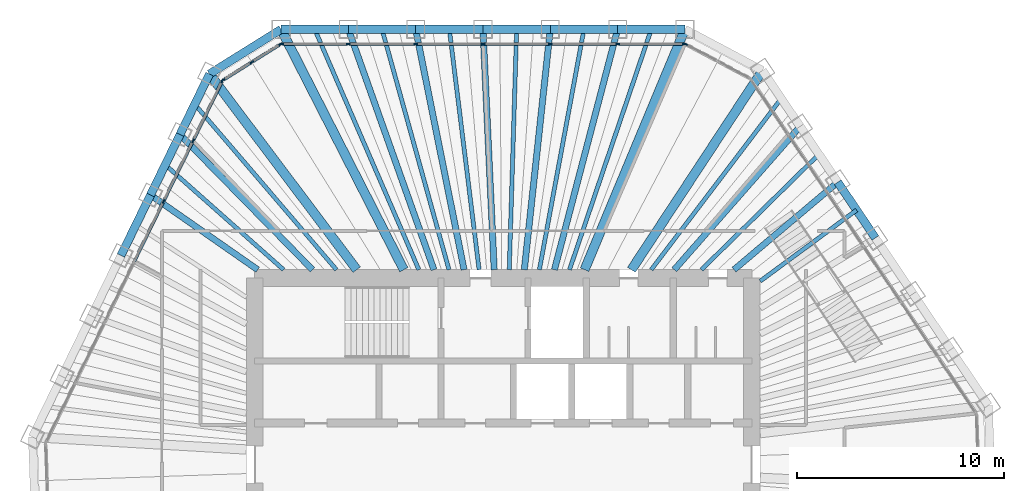
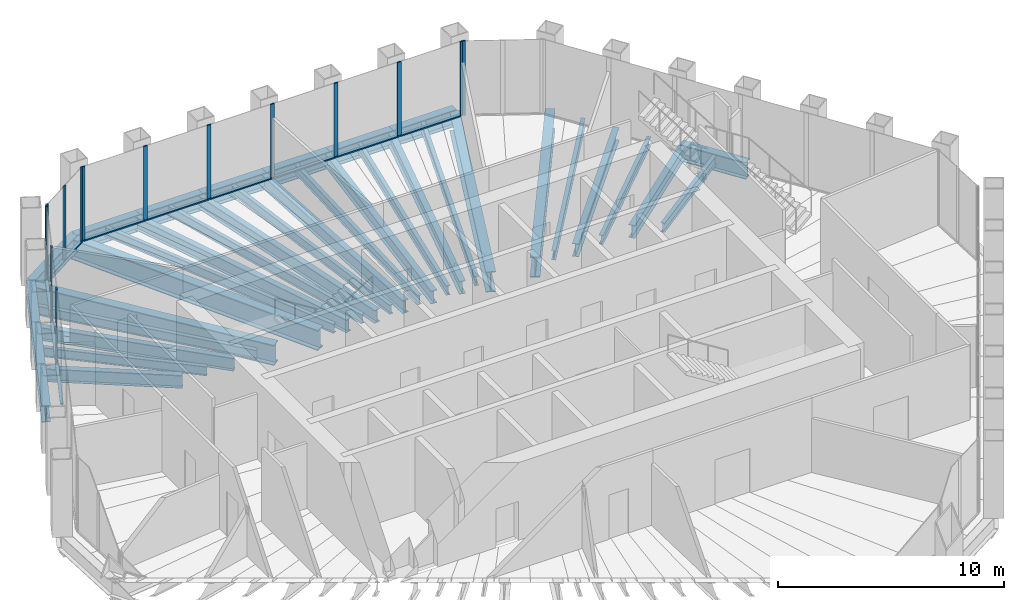
# One storey, part 7 of 14: 35 beams, 25 members, 4 elements without a shape of their own.
"""IFC4 building model written with IfcOpenShell, lengths in metres."""

import ifcopenshell
import ifcopenshell.guid

model = None  # the IFC model being written
_history = None  # IfcOwnerHistory: only IFC2X3 demands one
_inside = {}  # id of a spatial element -> (the spatial element, [elements in it])
_under = {}  # id of a project, library or spatial element -> (it, [spatial elements below it])
_declared = {}  # id of a project -> (the project, [libraries it declares])
_typed = {}  # id of a type object -> (the type object, [elements of that type])
_made_of = {}  # id of a material, layer set ... -> (it, [elements and type objects made of it])


def new_model(schema):
    """Start an empty IFC model of exactly this schema.

    Asked for "IFC4X3", IfcOpenShell would pick the latest addendum, in which some entities
    have other attributes; the version numbers below select the first issue.
    IFC2X3 requires an IfcOwnerHistory on every rooted entity: one is made here for all.
    """
    global model, _history
    if schema == "IFC4X3":
        model = ifcopenshell.file(schema_version=(4, 3, 0, 0))
    else:
        model = ifcopenshell.file(schema=schema)
    _inside.clear()
    _under.clear()
    _declared.clear()
    _typed.clear()
    _made_of.clear()
    _history = None
    if model.schema == "IFC2X3":
        org = make("IfcOrganization", Name="unknown")
        user = make(
            "IfcPersonAndOrganization",
            ThePerson=make("IfcPerson", FamilyName="unknown"),
            TheOrganization=org,
        )
        app = make(
            "IfcApplication",
            ApplicationDeveloper=org,
            Version="unknown",
            ApplicationFullName="unknown",
            ApplicationIdentifier="unknown",
        )
        _history = make(
            "IfcOwnerHistory",
            OwningUser=user,
            OwningApplication=app,
            ChangeAction="ADDED",
            CreationDate=0,
        )
    return model


def make(cls, **values):
    """One entity of the class cls with the attributes given. An attribute that is None is left unset."""
    return model.create_entity(
        cls, **{name: value for name, value in values.items() if value is not None}
    )


def rooted(cls, **values):
    """An entity with a GlobalId (a new one), such as an element, a storey or a relation."""
    return make(cls, GlobalId=ifcopenshell.guid.new(), OwnerHistory=_history, **values)


def si_unit(unit_type, name, prefix=None):
    """IfcSIUnit, for example si_unit("LENGTHUNIT", "METRE", prefix="MILLI")."""
    return make("IfcSIUnit", UnitType=unit_type, Prefix=prefix, Name=name)


def assignment(units):
    """IfcUnitAssignment: the units of a project."""
    return None if units is None else make("IfcUnitAssignment", Units=units)


def point(xyz):
    """IfcCartesianPoint."""
    return None if xyz is None else make("IfcCartesianPoint", Coordinates=xyz)


def direction(xyz):
    """IfcDirection."""
    return None if xyz is None else make("IfcDirection", DirectionRatios=xyz)


def frame(location, z_axis=None, x_axis=None):
    """IfcAxis2Placement3D, a coordinate frame: its origin and axes. An axis left out is left unset."""
    return make(
        "IfcAxis2Placement3D",
        Location=point(location),
        Axis=direction(z_axis),
        RefDirection=direction(x_axis),
    )


def frame_2d(location, x_axis=None):
    """IfcAxis2Placement2D, a coordinate frame in the plane: its origin and x axis."""
    return make(
        "IfcAxis2Placement2D", Location=point(location), RefDirection=direction(x_axis)
    )


def origin():
    """The frame at (0, 0, 0) with its axes left unset."""
    return frame((0.0, 0.0, 0.0))


def origin_2d():
    """The frame at (0, 0) in the plane with its x axis left unset."""
    return frame_2d((0.0, 0.0))


def place(relative_to, where):
    """IfcLocalPlacement: puts the frame where relative to a parent placement (None: the world)."""
    return make(
        "IfcLocalPlacement", PlacementRelTo=relative_to, RelativePlacement=where
    )


def context(
    kind, dimensions, precision=None, world=None, true_north=None, identifier=None
):
    """IfcGeometricRepresentationContext, for example the 3D "Model" context."""
    return make(
        "IfcGeometricRepresentationContext",
        ContextIdentifier=identifier,
        ContextType=kind,
        CoordinateSpaceDimension=dimensions,
        Precision=precision,
        WorldCoordinateSystem=world,
        TrueNorth=true_north,
    )


def subcontext(parent, identifier, kind, view, scale=None):
    """IfcGeometricRepresentationSubContext, for example "Body" below "Model"."""
    return make(
        "IfcGeometricRepresentationSubContext",
        ContextIdentifier=identifier,
        ContextType=kind,
        ParentContext=parent,
        TargetScale=scale,
        TargetView=view,
    )


def project(units=None, contexts=None):
    """IfcProject with its units and contexts."""
    return rooted(
        "IfcProject",
        Name="project",
        RepresentationContexts=contexts,
        UnitsInContext=assignment(units),
    )


def spatial(cls, under=None, at=None, **own):
    """A site, building, storey or space (cls), placed at a placement, below another one or the project."""
    s = rooted(cls, ObjectPlacement=at, **own)
    if under is not None:
        _under.setdefault(under.id(), (under, []))[1].append(s)
    return s


def profile(cls, at=None, kind="AREA", **sizes):
    """A parametric profile (cls). Its sizes go by their IFC names, for example OverallWidth=200.0."""
    return make(cls, ProfileType=kind, Position=at, **sizes)


def rectangle(**sizes):
    """IfcRectangleProfileDef."""
    return profile("IfcRectangleProfileDef", **sizes)


def i_section(**sizes):
    """IfcIShapeProfileDef."""
    return profile("IfcIShapeProfileDef", **sizes)


def extrude(swept, where, along, depth):
    """IfcExtrudedAreaSolid: the profile swept, set in the frame where, extruded along a direction by depth."""
    return make(
        "IfcExtrudedAreaSolid",
        SweptArea=swept,
        Position=where,
        ExtrudedDirection=direction(along),
        Depth=depth,
    )


def shape(context_of_items, identifier, shape_type, items):
    """IfcShapeRepresentation: the items that make up one representation, for example the "Body"."""
    return make(
        "IfcShapeRepresentation",
        ContextOfItems=context_of_items,
        RepresentationIdentifier=identifier,
        RepresentationType=shape_type,
        Items=items,
    )


def material(Name=None, Category=None):
    """IfcMaterial."""
    return make("IfcMaterial", Name=Name, Category=Category)


def material_profile(
    of_material, cross_section, Name=None, Category=None, Priority=None
):
    """IfcMaterialProfile: a cross section and its material."""
    return make(
        "IfcMaterialProfile",
        Name=Name,
        Material=of_material,
        Profile=cross_section,
        Priority=Priority,
        Category=Category,
    )


def profile_set(profiles, Name=None, composite=None):
    """IfcMaterialProfileSet."""
    return make(
        "IfcMaterialProfileSet",
        Name=Name,
        MaterialProfiles=profiles,
        CompositeProfile=composite,
    )


def made_of(thing, what):
    """Note that an element or type object is made of a material, layer set ...; save() writes the relation."""
    if what is not None:
        _made_of.setdefault(what.id(), (what, []))[1].append(thing)
    return thing


def type_object(cls, material=None, **own):
    """A type object (cls), such as IfcWallType, which elements share."""
    return made_of(rooted(cls, **own), material)


def element(
    cls,
    number,
    at=None,
    inside=None,
    cuts=None,
    type_object=None,
    material=None,
    context=None,
    identifier="Body",
    shape_type=None,
    held_by="IfcProductDefinitionShape",
    body=None,
    shapes=None,
    **own,
):
    """One element of the class cls, such as IfcWall. Its Tag is "e" and its number.

    at: its placement. inside: the storey or other place that contains it. cuts: it is an
    opening in that element (IfcRelVoidsElement). A single representation is given by context,
    identifier, shape_type and body (its items); several are given by shapes. held_by: the class
    of the entity that holds the representations. save() writes the other relations.
    """
    e = rooted(cls, Tag="e%d" % number, ObjectPlacement=at, **own)
    if body is not None:
        shapes = [shape(context, identifier, shape_type, body)]
    if shapes is not None:
        e.Representation = make(held_by, Representations=shapes)
    if inside is not None:
        _inside.setdefault(inside.id(), (inside, []))[1].append(e)
    if cuts is not None:
        rooted(
            "IfcRelVoidsElement", RelatingBuildingElement=cuts, RelatedOpeningElement=e
        )
    if type_object is not None:
        _typed.setdefault(type_object.id(), (type_object, []))[1].append(e)
    return made_of(e, material)


def aggregate(whole, parts):
    """IfcRelAggregates: a whole, such as a stair, and the parts it consists of."""
    return rooted("IfcRelAggregates", RelatingObject=whole, RelatedObjects=parts)


def save(model, path):
    """Write the relations noted so far, then the file.

    IfcRelAggregates (storeys below a building ...), IfcRelContainedInSpatialStructure (elements
    in a storey), IfcRelDefinesByType, IfcRelAssociatesMaterial and IfcRelDeclares: one each for
    every whole, place, type object, material and project.
    """
    for whole, parts in _under.values():
        aggregate(whole, parts)
    for where, things in _inside.values():
        rooted(
            "IfcRelContainedInSpatialStructure",
            RelatedElements=things,
            RelatingStructure=where,
        )
    for kind, things in _typed.values():
        rooted("IfcRelDefinesByType", RelatedObjects=things, RelatingType=kind)
    for what, things in _made_of.values():
        rooted("IfcRelAssociatesMaterial", RelatedObjects=things, RelatingMaterial=what)
    for by, libraries in _declared.values():
        rooted("IfcRelDeclares", RelatingContext=by, RelatedDefinitions=libraries)
    model.write(path)


model = new_model("IFC4")

# Units and contexts
model_context = context("Model", 3, precision=1e-05, world=origin(), true_north=direction((0.0, 1.0)))
body_context = subcontext(model_context, "Body", "Model", "MODEL_VIEW")
ifc_project = project(units=[si_unit("LENGTHUNIT", "METRE"), si_unit("AREAUNIT", "SQUARE_METRE"), si_unit("VOLUMEUNIT", "CUBIC_METRE"), si_unit("PLANEANGLEUNIT", "RADIAN"), si_unit("MASSUNIT", "GRAM", prefix="KILO")], contexts=[model_context])

# Site, building, storey
site_placement = place(None, origin())
site = spatial("IfcSite", under=ifc_project, at=site_placement, CompositionType="ELEMENT")
building_placement = place(site_placement, origin())
building = spatial("IfcBuilding", under=site, at=building_placement, Name="Qingtian Harvest Tower", CompositionType="ELEMENT")
storey_placement = place(building_placement, frame((0.0, 0.0, 325.0)))
storey = spatial("IfcBuildingStorey", under=building, at=storey_placement, Name="L72", CompositionType="ELEMENT", Elevation=325.0)

# Beams
ifc_material_1 = material(Name="Steel SM570MC", Category="steel")
ifc_material_profile_1 = material_profile(ifc_material_1, i_section(OverallWidth=0.449951171875, OverallDepth=1.10009765625, WebThickness=0.02197265625, FlangeThickness=0.044921875, at=origin_2d()), Name="H1100x450x22x45")
ifc_profile_set_1 = profile_set([ifc_material_profile_1], Name="Steel SM570MC")
beam_type_1 = type_object("IfcBeamType", Name="Corner floor beam FB8 H1100x450x22x45", PredefinedType="BEAM", material=ifc_profile_set_1)
beam_1_placement = place(storey_placement, frame((-10.72216796875, 21.0, -0.719970703125), z_axis=(0.454725592954, -0.890631593372, 0.0), x_axis=(0.890631593372, 0.454725592954, 0.0)))
element("IfcBeam", 1, at=beam_1_placement, inside=storey, type_object=beam_type_1, Name="Floor beam FB8 N0", PredefinedType="BEAM", context=body_context, shape_type="SweptSolid", body=[
    extrude(i_section(OverallWidth=0.449951171875, OverallDepth=1.10009765625, WebThickness=0.02197265625, FlangeThickness=0.044921875, at=origin_2d()), origin(), (0.0, 0.0, 1.0), 13.024658203125),
])
beam_2_placement = place(storey_placement, frame((8.765869140625, 21.0, -0.719970703125), z_axis=(-0.385202803059, -0.922831945977, 0.0), x_axis=(0.922831945977, -0.385202803059, 0.0)))
element("IfcBeam", 2, at=beam_2_placement, inside=storey, type_object=beam_type_1, Name="Floor beam FB8 N6", PredefinedType="BEAM", context=body_context, shape_type="SweptSolid", body=[
    extrude(i_section(OverallWidth=0.449951171875, OverallDepth=1.10009765625, WebThickness=0.02197265625, FlangeThickness=0.044921875, at=origin_2d()), origin(), (0.0, 0.0, 1.0), 12.570068359375),
])
beam_3_placement = place(storey_placement, frame((12.508056640625, 19.01025390625, -0.719970703125), z_axis=(-0.549655478371, -0.835391438247, 0.0), x_axis=(0.835391438247, -0.549655478371, 0.0)))
element("IfcBeam", 3, at=beam_3_placement, inside=storey, type_object=beam_type_1, Name="Floor beam FB8 NE0", PredefinedType="BEAM", context=body_context, shape_type="SweptSolid", body=[
    extrude(i_section(OverallWidth=0.449951171875, OverallDepth=1.10009765625, WebThickness=0.02197265625, FlangeThickness=0.044921875, at=origin_2d()), origin(), (0.0, 0.0, 1.0), 11.50390625),
])
beam_4_placement = place(storey_placement, frame((-14.17431640625, 18.8427734375, -0.719970703125), z_axis=(0.601143201392, -0.799141321307, 0.0), x_axis=(0.799141321307, 0.601143201392, 0.0)))
element("IfcBeam", 4, at=beam_4_placement, inside=storey, type_object=beam_type_1, Name="Floor beam FB8 NW6", PredefinedType="BEAM", context=body_context, shape_type="SweptSolid", body=[
    extrude(i_section(OverallWidth=0.449951171875, OverallDepth=1.10009765625, WebThickness=0.02197265625, FlangeThickness=0.044921875, at=origin_2d()), origin(), (0.0, 0.0, 1.0), 11.816162109375),
])
ifc_material_2 = material(Name="Steel SN490B", Category="steel")
ifc_material_profile_2 = material_profile(ifc_material_2, i_section(OverallWidth=0.300048828125, OverallDepth=0.699951171875, WebThickness=0.012939453125, FlangeThickness=0.02392578125, at=origin_2d()), Name="H700x300x13x24")
ifc_profile_set_2 = profile_set([ifc_material_profile_2], Name="Steel SN490B")
beam_type_2 = type_object("IfcBeamType", Name="Floor beam FB4 H700x300x13x24", PredefinedType="BEAM", material=ifc_profile_set_2)
beam_5_placement = place(storey_placement, frame((-7.47412109375, 21.0, -0.52001953125), z_axis=(0.335293644082, -0.942113672673, 0.0), x_axis=(0.942113672673, 0.335293644082, 0.0)))
element("IfcBeam", 5, at=beam_5_placement, inside=storey, type_object=beam_type_2, Name="Floor beam FB4 N1", PredefinedType="BEAM", context=body_context, shape_type="SweptSolid", body=[
    extrude(i_section(OverallWidth=0.300048828125, OverallDepth=0.699951171875, WebThickness=0.012939453125, FlangeThickness=0.02392578125, at=origin_2d()), origin(), (0.0, 0.0, 1.0), 12.312744140625),
])
beam_6_placement = place(storey_placement, frame((-4.226318359375, 21.0, -0.52001953125), z_axis=(0.197290474792, -0.980345076265, 0.0), x_axis=(0.980345076265, 0.197290474792, 0.0)))
element("IfcBeam", 6, at=beam_6_placement, inside=storey, type_object=beam_type_2, Name="Floor beam FB4 N2", PredefinedType="BEAM", context=body_context, shape_type="SweptSolid", body=[
    extrude(i_section(OverallWidth=0.300048828125, OverallDepth=0.699951171875, WebThickness=0.012939453125, FlangeThickness=0.02392578125, at=origin_2d()), origin(), (0.0, 0.0, 1.0), 11.832763671875),
])
beam_7_placement = place(storey_placement, frame((-0.978271484375, 21.0, -0.52001953125), z_axis=(0.046546287853, -0.998916134161, 0.0), x_axis=(0.998916134161, 0.046546287853, 0.0)))
element("IfcBeam", 7, at=beam_7_placement, inside=storey, type_object=beam_type_2, Name="Floor beam FB4 N3", PredefinedType="BEAM", context=body_context, shape_type="SweptSolid", body=[
    extrude(i_section(OverallWidth=0.300048828125, OverallDepth=0.699951171875, WebThickness=0.012939453125, FlangeThickness=0.02392578125, at=origin_2d()), origin(), (0.0, 0.0, 1.0), 11.61279296875),
])
beam_8_placement = place(storey_placement, frame((2.269775390625, 21.0, -0.52001953125), z_axis=(-0.107447744153, -0.994210733334, 0.0), x_axis=(0.994210733334, -0.107447744153, 0.0)))
element("IfcBeam", 8, at=beam_8_placement, inside=storey, type_object=beam_type_2, Name="Floor beam FB4 N4", PredefinedType="BEAM", context=body_context, shape_type="SweptSolid", body=[
    extrude(i_section(OverallWidth=0.300048828125, OverallDepth=0.699951171875, WebThickness=0.012939453125, FlangeThickness=0.02392578125, at=origin_2d()), origin(), (0.0, 0.0, 1.0), 11.667724609375),
])
beam_9_placement = place(storey_placement, frame((5.517822265625, 21.0, -0.52001953125), z_axis=(-0.254118548412, -0.967173078282, 0.0), x_axis=(0.967173078282, -0.254118548412, 0.0)))
element("IfcBeam", 9, at=beam_9_placement, inside=storey, type_object=beam_type_2, Name="Floor beam FB4 N5", PredefinedType="BEAM", context=body_context, shape_type="SweptSolid", body=[
    extrude(i_section(OverallWidth=0.300048828125, OverallDepth=0.699951171875, WebThickness=0.012939453125, FlangeThickness=0.02392578125, at=origin_2d()), origin(), (0.0, 0.0, 1.0), 11.993896484375),
])
beam_10_placement = place(storey_placement, frame((14.32421875, 16.317626953125, -0.52001953125), z_axis=(-0.659703637934, -0.751525854576, 0.0), x_axis=(0.751525854576, -0.659703637934, 0.0)))
element("IfcBeam", 10, at=beam_10_placement, inside=storey, type_object=beam_type_2, Name="Floor beam FB4 NE1", PredefinedType="BEAM", context=body_context, shape_type="SweptSolid", body=[
    extrude(i_section(OverallWidth=0.300048828125, OverallDepth=0.699951171875, WebThickness=0.012939453125, FlangeThickness=0.02392578125, at=origin_2d()), origin(), (0.0, 0.0, 1.0), 9.204833984375),
])
beam_11_placement = place(storey_placement, frame((16.140625, 13.624755859375, -0.52001953125), z_axis=(-0.764157701072, -0.645029462809, 0.0), x_axis=(0.645029462809, -0.764157701072, 0.0)))
element("IfcBeam", 11, at=beam_11_placement, inside=storey, type_object=beam_type_2, Name="Floor beam FB4 NE2", PredefinedType="BEAM", context=body_context, shape_type="SweptSolid", body=[
    extrude(i_section(OverallWidth=0.300048828125, OverallDepth=0.699951171875, WebThickness=0.012939453125, FlangeThickness=0.02392578125, at=origin_2d()), origin(), (0.0, 0.0, 1.0), 6.5498046875),
])
beam_12_placement = place(storey_placement, frame((-17.02197265625, 13.00439453125, -0.52001953125), z_axis=(0.820409176986, -0.571776864097, 0.0), x_axis=(0.571776864097, 0.820409176986, 0.0)))
element("IfcBeam", 12, at=beam_12_placement, inside=storey, type_object=beam_type_2, Name="Floor beam FB4 NW4", PredefinedType="BEAM", context=body_context, shape_type="SweptSolid", body=[
    extrude(i_section(OverallWidth=0.300048828125, OverallDepth=0.699951171875, WebThickness=0.012939453125, FlangeThickness=0.02392578125, at=origin_2d()), origin(), (0.0, 0.0, 1.0), 6.303955078125),
])
beam_13_placement = place(storey_placement, frame((-15.59814453125, 15.923583984375, -0.52001953125), z_axis=(0.699757003326, -0.714380946202, 0.0), x_axis=(0.714380946202, 0.699757003326, 0.0)))
element("IfcBeam", 13, at=beam_13_placement, inside=storey, type_object=beam_type_2, Name="Floor beam FB4 NW5", PredefinedType="BEAM", context=body_context, shape_type="SweptSolid", body=[
    extrude(i_section(OverallWidth=0.300048828125, OverallDepth=0.699951171875, WebThickness=0.012939453125, FlangeThickness=0.02392578125, at=origin_2d()), origin(), (0.0, 0.0, 1.0), 9.1318359375),
])
ifc_material_3 = material(Name="Steel SN490B", Category="steel")
ifc_material_profile_3 = material_profile(ifc_material_3, i_section(OverallWidth=0.199951171875, OverallDepth=0.5, WebThickness=0.010009765625, FlangeThickness=0.01611328125, at=origin_2d()), Name="H500x200x10x16")
ifc_profile_set_3 = profile_set([ifc_material_profile_3], Name="Steel SN490B")
beam_type_3 = type_object("IfcBeamType", Name="Floor joist J3 H500x200x10x16", PredefinedType="JOIST", material=ifc_profile_set_3)
beam_14_placement = place(storey_placement, frame((-9.09814453125, 21.0, -0.419921875), z_axis=(0.39753589741, -0.917586622761, 0.0), x_axis=(0.917586622761, 0.39753589741, 0.0)))
element("IfcBeam", 14, at=beam_14_placement, inside=storey, type_object=beam_type_3, Name="Floor joist J3 N0", PredefinedType="JOIST", context=body_context, shape_type="SweptSolid", body=[
    extrude(i_section(OverallWidth=0.199951171875, OverallDepth=0.5, WebThickness=0.010009765625, FlangeThickness=0.01611328125, at=origin_2d()), origin(), (0.0, 0.0, 1.0), 12.641845703125),
])
beam_15_placement = place(storey_placement, frame((-5.85009765625, 21.0, -0.419921875), z_axis=(0.268352758425, -0.963320713494, 0.0), x_axis=(0.963320713494, 0.268352758425, 0.0)))
element("IfcBeam", 15, at=beam_15_placement, inside=storey, type_object=beam_type_3, Name="Floor joist J3 N1", PredefinedType="JOIST", context=body_context, shape_type="SweptSolid", body=[
    extrude(i_section(OverallWidth=0.199951171875, OverallDepth=0.5, WebThickness=0.010009765625, FlangeThickness=0.01611328125, at=origin_2d()), origin(), (0.0, 0.0, 1.0), 12.041748046875),
])
beam_16_placement = place(storey_placement, frame((-2.602294921875, 21.0, -0.419921875), z_axis=(0.122980691304, -0.992409063626, 0.0), x_axis=(0.992409063626, 0.122980691304, 0.0)))
element("IfcBeam", 16, at=beam_16_placement, inside=storey, type_object=beam_type_3, Name="Floor joist J3 N2", PredefinedType="JOIST", context=body_context, shape_type="SweptSolid", body=[
    extrude(i_section(OverallWidth=0.199951171875, OverallDepth=0.5, WebThickness=0.010009765625, FlangeThickness=0.01611328125, at=origin_2d()), origin(), (0.0, 0.0, 1.0), 11.688720703125),
])
beam_17_placement = place(storey_placement, frame((0.645751953125, 21.0, -0.419921875), z_axis=(-0.030734305856, -0.999527589636, 0.0), x_axis=(0.999527589636, -0.030734305856, 0.0)))
element("IfcBeam", 17, at=beam_17_placement, inside=storey, type_object=beam_type_3, Name="Floor joist J3 N3", PredefinedType="JOIST", context=body_context, shape_type="SweptSolid", body=[
    extrude(i_section(OverallWidth=0.199951171875, OverallDepth=0.5, WebThickness=0.010009765625, FlangeThickness=0.01611328125, at=origin_2d()), origin(), (0.0, 0.0, 1.0), 11.60546875),
])
beam_18_placement = place(storey_placement, frame((3.893798828125, 21.0, -0.419921875), z_axis=(-0.182311561934, -0.983240812001, 0.0), x_axis=(0.983240812001, -0.182311561934, 0.0)))
element("IfcBeam", 18, at=beam_18_placement, inside=storey, type_object=beam_type_3, Name="Floor joist J3 N4", PredefinedType="JOIST", context=body_context, shape_type="SweptSolid", body=[
    extrude(i_section(OverallWidth=0.199951171875, OverallDepth=0.5, WebThickness=0.010009765625, FlangeThickness=0.01611328125, at=origin_2d()), origin(), (0.0, 0.0, 1.0), 11.7978515625),
])
beam_19_placement = place(storey_placement, frame((7.141845703125, 21.0, -0.419921875), z_axis=(-0.321978462512, -0.946746993488, 0.0), x_axis=(0.946746993488, -0.321978462512, 0.0)))
element("IfcBeam", 19, at=beam_19_placement, inside=storey, type_object=beam_type_3, Name="Floor joist J3 N5", PredefinedType="JOIST", context=body_context, shape_type="SweptSolid", body=[
    extrude(i_section(OverallWidth=0.199951171875, OverallDepth=0.5, WebThickness=0.010009765625, FlangeThickness=0.01611328125, at=origin_2d()), origin(), (0.0, 0.0, 1.0), 12.252685546875),
])
beam_20_placement = place(storey_placement, frame((13.416015625, 17.6640625, -0.419921875), z_axis=(-0.604829724016, -0.796354823522, 0.0), x_axis=(0.796354823522, -0.604829724016, 0.0)))
element("IfcBeam", 20, at=beam_20_placement, inside=storey, type_object=beam_type_3, Name="Floor joist J3 NE0", PredefinedType="JOIST", context=body_context, shape_type="SweptSolid", body=[
    extrude(i_section(OverallWidth=0.199951171875, OverallDepth=0.5, WebThickness=0.010009765625, FlangeThickness=0.01611328125, at=origin_2d()), origin(), (0.0, 0.0, 1.0), 10.37744140625),
])
beam_21_placement = place(storey_placement, frame((15.232421875, 14.97119140625, -0.419921875), z_axis=(-0.713193091885, -0.700967626704, 0.0), x_axis=(0.700967626704, -0.713193091885, 0.0)))
element("IfcBeam", 21, at=beam_21_placement, inside=storey, type_object=beam_type_3, Name="Floor joist J3 NE1", PredefinedType="JOIST", context=body_context, shape_type="SweptSolid", body=[
    extrude(i_section(OverallWidth=0.199951171875, OverallDepth=0.5, WebThickness=0.010009765625, FlangeThickness=0.01611328125, at=origin_2d()), origin(), (0.0, 0.0, 1.0), 7.947998046875),
])
beam_22_placement = place(storey_placement, frame((17.048583984375, 12.278564453125, -0.419921875), z_axis=(-0.804797608796, -0.59354933146, 0.0), x_axis=(0.59354933146, -0.804797608796, 0.0)))
element("IfcBeam", 22, at=beam_22_placement, inside=storey, type_object=beam_type_3, Name="Floor joist J3 NE2", PredefinedType="JOIST", context=body_context, shape_type="SweptSolid", body=[
    extrude(i_section(OverallWidth=0.199951171875, OverallDepth=0.5, WebThickness=0.010009765625, FlangeThickness=0.01611328125, at=origin_2d()), origin(), (0.0, 0.0, 1.0), 5.776123046875),
])
beam_23_placement = place(storey_placement, frame((-16.31005859375, 14.4638671875, -0.419921875), z_axis=(0.748174776717, -0.663501698177, 0.0), x_axis=(0.663501698177, 0.748174776717, 0.0)))
element("IfcBeam", 23, at=beam_23_placement, inside=storey, type_object=beam_type_3, Name="Floor joist J3 NW4", PredefinedType="JOIST", context=body_context, shape_type="SweptSolid", body=[
    extrude(i_section(OverallWidth=0.199951171875, OverallDepth=0.5, WebThickness=0.010009765625, FlangeThickness=0.01611328125, at=origin_2d()), origin(), (0.0, 0.0, 1.0), 7.632080078125),
])
beam_24_placement = place(storey_placement, frame((-14.88623046875, 17.38330078125, -0.419921875), z_axis=(0.650435500933, -0.75956149134, 0.0), x_axis=(0.75956149134, 0.650435500933, 0.0)))
element("IfcBeam", 24, at=beam_24_placement, inside=storey, type_object=beam_type_3, Name="Floor joist J3 NW5", PredefinedType="JOIST", context=body_context, shape_type="SweptSolid", body=[
    extrude(i_section(OverallWidth=0.199951171875, OverallDepth=0.5, WebThickness=0.010009765625, FlangeThickness=0.01611328125, at=origin_2d()), origin(), (0.0, 0.0, 1.0), 10.510498046875),
])

# Curtain wall, members
ifc_material_4 = material(Name="Bronze-anodised aluminium curtain wall", Category="aluminium")
curtain_wall_type = type_object("IfcCurtainWallType", Name="Curtain wall CW6 executive floors", PredefinedType="USERDEFINED", material=ifc_material_4)
curtain_wall_1_placement = place(storey_placement, origin())
curtain_wall_1 = element("IfcCurtainWall", 25, at=curtain_wall_1_placement, inside=storey, type_object=curtain_wall_type, Name="Curtain wall CW6 L72 N0-5", ObjectType="RECESSED CURTAIN WALL", PredefinedType="USERDEFINED")
ifc_material_5 = material(Name="Bronze-anodised aluminium mullion", Category="aluminium")
ifc_material_profile_4 = material_profile(ifc_material_5, rectangle(XDim=0.06494140625, YDim=0.199951171875, at=origin_2d()), Name="AL 65x200")
ifc_profile_set_4 = profile_set([ifc_material_profile_4], Name="Bronze-anodised aluminium mullion")
member_type_1 = type_object("IfcMemberType", Name="Mullion CWM 65x200", PredefinedType="MULLION", material=ifc_profile_set_4)
member_1_placement = place(storey_placement, frame((-10.689697265625, 20.300048828125, 0.0), z_axis=(0.0, 0.0, 1.0), x_axis=(0.0, 1.0, 0.0)))
member_1 = element("IfcMember", 26, at=member_1_placement, type_object=member_type_1, Name="CW6 mullion 1", PredefinedType="MULLION", context=body_context, shape_type="SweptSolid", body=[
    extrude(rectangle(XDim=0.06494140625, YDim=0.199951171875, at=origin_2d()), origin(), (0.0, 0.0, 1.0), 4.030029296875),
])
member_2_placement = place(storey_placement, frame((-7.47412109375, 20.300048828125, 0.0), z_axis=(0.0, 0.0, 1.0), x_axis=(0.0, 1.0, 0.0)))
member_2 = element("IfcMember", 27, at=member_2_placement, type_object=member_type_1, Name="CW6 mullion 2", PredefinedType="MULLION", context=body_context, shape_type="SweptSolid", body=[
    extrude(rectangle(XDim=0.06494140625, YDim=0.199951171875, at=origin_2d()), origin(), (0.0, 0.0, 1.0), 4.030029296875),
])
member_3_placement = place(storey_placement, frame((-4.226318359375, 20.300048828125, 0.0), z_axis=(0.0, 0.0, 1.0), x_axis=(0.0, 1.0, 0.0)))
member_3 = element("IfcMember", 28, at=member_3_placement, type_object=member_type_1, Name="CW6 mullion 3", PredefinedType="MULLION", context=body_context, shape_type="SweptSolid", body=[
    extrude(rectangle(XDim=0.06494140625, YDim=0.199951171875, at=origin_2d()), origin(), (0.0, 0.0, 1.0), 4.030029296875),
])
member_4_placement = place(storey_placement, frame((-0.978271484375, 20.300048828125, 0.0), z_axis=(0.0, 0.0, 1.0), x_axis=(0.0, 1.0, 0.0)))
member_4 = element("IfcMember", 29, at=member_4_placement, type_object=member_type_1, Name="CW6 mullion 4", PredefinedType="MULLION", context=body_context, shape_type="SweptSolid", body=[
    extrude(rectangle(XDim=0.06494140625, YDim=0.199951171875, at=origin_2d()), origin(), (0.0, 0.0, 1.0), 4.030029296875),
])
member_5_placement = place(storey_placement, frame((2.269775390625, 20.300048828125, 0.0), z_axis=(0.0, 0.0, 1.0), x_axis=(0.0, 1.0, 0.0)))
member_5 = element("IfcMember", 30, at=member_5_placement, type_object=member_type_1, Name="CW6 mullion 5", PredefinedType="MULLION", context=body_context, shape_type="SweptSolid", body=[
    extrude(rectangle(XDim=0.06494140625, YDim=0.199951171875, at=origin_2d()), origin(), (0.0, 0.0, 1.0), 4.030029296875),
])
member_6_placement = place(storey_placement, frame((5.517822265625, 20.300048828125, 0.0), z_axis=(0.0, 0.0, 1.0), x_axis=(0.0, 1.0, 0.0)))
member_6 = element("IfcMember", 31, at=member_6_placement, type_object=member_type_1, Name="CW6 mullion 6", PredefinedType="MULLION", context=body_context, shape_type="SweptSolid", body=[
    extrude(rectangle(XDim=0.06494140625, YDim=0.199951171875, at=origin_2d()), origin(), (0.0, 0.0, 1.0), 4.030029296875),
])
member_7_placement = place(storey_placement, frame((8.7333984375, 20.300048828125, 0.0), z_axis=(0.0, 0.0, 1.0), x_axis=(0.0, 1.0, 0.0)))
member_7 = element("IfcMember", 32, at=member_7_placement, type_object=member_type_1, Name="CW6 mullion 7", PredefinedType="MULLION", context=body_context, shape_type="SweptSolid", body=[
    extrude(rectangle(XDim=0.06494140625, YDim=0.199951171875, at=origin_2d()), origin(), (0.0, 0.0, 1.0), 4.030029296875),
])

# Curtain wall, member
curtain_wall_2_placement = place(storey_placement, origin())
curtain_wall_2 = element("IfcCurtainWall", 33, at=curtain_wall_2_placement, inside=storey, type_object=curtain_wall_type, Name="Curtain wall CW6 L72 NC", ObjectType="RECESSED CURTAIN WALL", PredefinedType="USERDEFINED")
member_8_placement = place(storey_placement, frame((8.794677734375, 20.28466796875, 0.0), z_axis=(0.0, 0.0, 1.0), x_axis=(0.469471562786, 0.882947592859, 0.0)))
member_8 = element("IfcMember", 34, at=member_8_placement, type_object=member_type_1, Name="CW6 mullion 1", PredefinedType="MULLION", context=body_context, shape_type="SweptSolid", body=[
    extrude(rectangle(XDim=0.06494140625, YDim=0.199951171875, at=origin_2d()), origin(), (0.0, 0.0, 1.0), 4.030029296875),
])
aggregate(curtain_wall_2, [member_8])

# Curtain wall, members
curtain_wall_3_placement = place(storey_placement, origin())
curtain_wall_3 = element("IfcCurtainWall", 35, at=curtain_wall_3_placement, inside=storey, type_object=curtain_wall_type, Name="Curtain wall CW6 L72 NW0-5", ObjectType="RECESSED CURTAIN WALL", PredefinedType="USERDEFINED")
member_9_placement = place(storey_placement, frame((-16.392822265625, 12.697509765625, 0.0), z_axis=(0.0, 0.0, 1.0), x_axis=(-0.898794046299, 0.438371146789, 0.0)))
member_9 = element("IfcMember", 36, at=member_9_placement, type_object=member_type_1, Name="CW6 mullion 5", PredefinedType="MULLION", context=body_context, shape_type="SweptSolid", body=[
    extrude(rectangle(XDim=0.06494140625, YDim=0.199951171875, at=origin_2d()), origin(), (0.0, 0.0, 1.0), 4.030029296875),
])
member_10_placement = place(storey_placement, frame((-14.968994140625, 15.61669921875, 0.0), z_axis=(0.0, 0.0, 1.0), x_axis=(-0.898794046299, 0.438371146789, 0.0)))
member_10 = element("IfcMember", 37, at=member_10_placement, type_object=member_type_1, Name="CW6 mullion 6", PredefinedType="MULLION", context=body_context, shape_type="SweptSolid", body=[
    extrude(rectangle(XDim=0.06494140625, YDim=0.199951171875, at=origin_2d()), origin(), (0.0, 0.0, 1.0), 4.030029296875),
])
member_11_placement = place(storey_placement, frame((-13.559326171875, 18.5068359375, 0.0), z_axis=(0.0, 0.0, 1.0), x_axis=(-0.898794046299, 0.438371146789, 0.0)))
member_11 = element("IfcMember", 38, at=member_11_placement, type_object=member_type_1, Name="CW6 mullion 7", PredefinedType="MULLION", context=body_context, shape_type="SweptSolid", body=[
    extrude(rectangle(XDim=0.06494140625, YDim=0.199951171875, at=origin_2d()), origin(), (0.0, 0.0, 1.0), 4.030029296875),
])

curtain_wall_4_placement = place(storey_placement, origin())
curtain_wall_4 = element("IfcCurtainWall", 39, at=curtain_wall_4_placement, inside=storey, type_object=curtain_wall_type, Name="Curtain wall CW6 L72 NWC", ObjectType="RECESSED CURTAIN WALL", PredefinedType="USERDEFINED")
member_12_placement = place(storey_placement, frame((-13.517578125, 18.55322265625, 0.0), z_axis=(0.0, 0.0, 1.0), x_axis=(-0.529919264233, 0.848048096156, 0.0)))
member_12 = element("IfcMember", 40, at=member_12_placement, type_object=member_type_1, Name="CW6 mullion 1", PredefinedType="MULLION", context=body_context, shape_type="SweptSolid", body=[
    extrude(rectangle(XDim=0.06494140625, YDim=0.199951171875, at=origin_2d()), origin(), (0.0, 0.0, 1.0), 4.030029296875),
])
member_13_placement = place(storey_placement, frame((-12.1337890625, 19.41796875, 0.0), z_axis=(0.0, 0.0, 1.0), x_axis=(-0.529919264233, 0.848048096156, 0.0)))
member_13 = element("IfcMember", 41, at=member_13_placement, type_object=member_type_1, Name="CW6 mullion 2", PredefinedType="MULLION", context=body_context, shape_type="SweptSolid", body=[
    extrude(rectangle(XDim=0.06494140625, YDim=0.199951171875, at=origin_2d()), origin(), (0.0, 0.0, 1.0), 4.030029296875),
])
member_14_placement = place(storey_placement, frame((-10.749755859375, 20.28271484375, 0.0), z_axis=(0.0, 0.0, 1.0), x_axis=(-0.529919264233, 0.848048096156, 0.0)))
member_14 = element("IfcMember", 42, at=member_14_placement, type_object=member_type_1, Name="CW6 mullion 3", PredefinedType="MULLION", context=body_context, shape_type="SweptSolid", body=[
    extrude(rectangle(XDim=0.06494140625, YDim=0.199951171875, at=origin_2d()), origin(), (0.0, 0.0, 1.0), 4.030029296875),
])

# Beams
ifc_material_6 = material(Name="Steel SN490B", Category="steel")
ifc_material_profile_5 = material_profile(ifc_material_6, i_section(OverallWidth=0.39990234375, OverallDepth=0.89990234375, WebThickness=0.01904296875, FlangeThickness=0.035888671875, at=origin_2d()), Name="H900x400x19x36")
ifc_profile_set_5 = profile_set([ifc_material_profile_5], Name="Steel SN490B")
beam_type_4 = type_object("IfcBeamType", Name="Spandrel beam SB4 H900x400x19x36", PredefinedType="SPANDREL", material=ifc_profile_set_5)
beam_25_placement = place(storey_placement, frame((-10.72216796875, 21.0, -0.449951171875), z_axis=(1.0, 0.0, 0.0), x_axis=(0.0, 1.0, 0.0)))
element("IfcBeam", 43, at=beam_25_placement, inside=storey, type_object=beam_type_4, Name="Spandrel SB4 N0", PredefinedType="SPANDREL", context=body_context, shape_type="SweptSolid", body=[
    extrude(i_section(OverallWidth=0.39990234375, OverallDepth=0.89990234375, WebThickness=0.01904296875, FlangeThickness=0.035888671875, at=origin_2d()), origin(), (0.0, 0.0, 1.0), 3.248046875),
])
beam_26_placement = place(storey_placement, frame((-7.47412109375, 21.0, -0.449951171875), z_axis=(1.0, 0.0, 0.0), x_axis=(0.0, 1.0, 0.0)))
element("IfcBeam", 44, at=beam_26_placement, inside=storey, type_object=beam_type_4, Name="Spandrel SB4 N1", PredefinedType="SPANDREL", context=body_context, shape_type="SweptSolid", body=[
    extrude(i_section(OverallWidth=0.39990234375, OverallDepth=0.89990234375, WebThickness=0.01904296875, FlangeThickness=0.035888671875, at=origin_2d()), origin(), (0.0, 0.0, 1.0), 3.247802734375),
])
for number, where, z_axis, x_axis, name in (
    (45, (-4.226318359375, 21.0, -0.449951171875), (1.0, 0.0, 0.0), (0.0, 1.0, 0.0), "Spandrel SB4 N2"),
    (46, (-0.978271484375, 21.0, -0.449951171875), (1.0, 0.0, 0.0), (0.0, 1.0, 0.0), "Spandrel SB4 N3"),
    (47, (2.269775390625, 21.0, -0.449951171875), (1.0, 0.0, 0.0), (0.0, 1.0, 0.0), "Spandrel SB4 N4"),
    (48, (5.517822265625, 21.0, -0.449951171875), (1.0, 0.0, 0.0), (0.0, 1.0, 0.0), "Spandrel SB4 N5"),
):
    element("IfcBeam", number, at=place(storey_placement, frame(where, z_axis=z_axis, x_axis=x_axis)), inside=storey, type_object=beam_type_4, Name=name, PredefinedType="SPANDREL", context=body_context, shape_type="SweptSolid", body=[
        extrude(i_section(OverallWidth=0.39990234375, OverallDepth=0.89990234375, WebThickness=0.01904296875, FlangeThickness=0.035888671875, at=origin_2d()), origin(), (0.0, 0.0, 1.0), 3.248046875),
    ])
beam_27_placement = place(storey_placement, frame((16.140625, 13.624755859375, -0.449951171875), z_axis=(0.559184924833, -0.829042954158, 0.0), x_axis=(0.829042954158, 0.559184924833, 0.0)))
element("IfcBeam", 49, at=beam_27_placement, inside=storey, type_object=beam_type_4, Name="Spandrel SB4 NE2", PredefinedType="SPANDREL", context=body_context, shape_type="SweptSolid", body=[
    extrude(i_section(OverallWidth=0.39990234375, OverallDepth=0.89990234375, WebThickness=0.01904296875, FlangeThickness=0.035888671875, at=origin_2d()), origin(), (0.0, 0.0, 1.0), 3.247802734375),
])
beam_28_placement = place(storey_placement, frame((-18.44580078125, 10.0849609375, -0.449951171875), z_axis=(0.438352548749, 0.898803116931, 0.0), x_axis=(-0.898803116931, 0.438352548749, 0.0)))
element("IfcBeam", 50, at=beam_28_placement, inside=storey, type_object=beam_type_4, Name="Spandrel SB4 NW3", PredefinedType="SPANDREL", context=body_context, shape_type="SweptSolid", body=[
    extrude(i_section(OverallWidth=0.39990234375, OverallDepth=0.89990234375, WebThickness=0.01904296875, FlangeThickness=0.035888671875, at=origin_2d()), origin(), (0.0, 0.0, 1.0), 3.248046875),
])
for number, where, z_axis, x_axis, name in (
    (51, (-17.02197265625, 13.00439453125, -0.449951171875), (0.438382164311, 0.898788672611, 0.0), (-0.898788672611, 0.438382164311, 0.0), "Spandrel SB4 NW4"),
    (52, (-15.59814453125, 15.923583984375, -0.449951171875), (0.438382164311, 0.898788672611, 0.0), (-0.898788672611, 0.438382164311, 0.0), "Spandrel SB4 NW5"),
):
    element("IfcBeam", number, at=place(storey_placement, frame(where, z_axis=z_axis, x_axis=x_axis)), inside=storey, type_object=beam_type_4, Name=name, PredefinedType="SPANDREL", context=body_context, shape_type="SweptSolid", body=[
        extrude(i_section(OverallWidth=0.39990234375, OverallDepth=0.89990234375, WebThickness=0.01904296875, FlangeThickness=0.035888671875, at=origin_2d()), origin(), (0.0, 0.0, 1.0), 3.247802734375),
    ])
beam_29_placement = place(storey_placement, frame((-14.17431640625, 18.8427734375, -0.449951171875), z_axis=(0.848038733752, 0.529934246919, 0.0), x_axis=(-0.529934246919, 0.848038733752, 0.0)))
element("IfcBeam", 53, at=beam_29_placement, inside=storey, type_object=beam_type_4, Name="Spandrel SB4 NWC", PredefinedType="SPANDREL", context=body_context, shape_type="SweptSolid", body=[
    extrude(i_section(OverallWidth=0.39990234375, OverallDepth=0.89990234375, WebThickness=0.01904296875, FlangeThickness=0.035888671875, at=origin_2d()), origin(), (0.0, 0.0, 1.0), 4.07080078125),
])

# Member
ifc_material_7 = material(Name="Bronze-anodised aluminium transom", Category="aluminium")
ifc_material_profile_6 = material_profile(ifc_material_7, rectangle(XDim=0.14990234375, YDim=0.06494140625, at=origin_2d()), Name="AL 65x150")
ifc_profile_set_6 = profile_set([ifc_material_profile_6], Name="Bronze-anodised aluminium transom")
member_type_2 = type_object("IfcMemberType", Name="Transom CWT 65x150", PredefinedType="USERDEFINED", material=ifc_profile_set_6)
member_15_placement = place(storey_placement, frame((-10.6572265625, 20.300048828125, 0.032470703125), z_axis=(1.0, 0.0, 0.0), x_axis=(0.0, 1.0, 0.0)))
member_15 = element("IfcMember", 54, at=member_15_placement, type_object=member_type_2, Name="CW6 transom 1.1", ObjectType="TRANSOM", PredefinedType="USERDEFINED", context=body_context, shape_type="SweptSolid", body=[
    extrude(rectangle(XDim=0.14990234375, YDim=0.06494140625, at=origin_2d()), origin(), (0.0, 0.0, 1.0), 3.150390625),
])

member_16_placement = place(storey_placement, frame((-7.441650390625, 20.300048828125, 0.032470703125), z_axis=(1.0, 0.0, 0.0), x_axis=(0.0, 1.0, 0.0)))
member_16 = element("IfcMember", 55, at=member_16_placement, type_object=member_type_2, Name="CW6 transom 2.1", ObjectType="TRANSOM", PredefinedType="USERDEFINED", context=body_context, shape_type="SweptSolid", body=[
    extrude(rectangle(XDim=0.14990234375, YDim=0.06494140625, at=origin_2d()), origin(), (0.0, 0.0, 1.0), 3.182861328125),
])

member_17_placement = place(storey_placement, frame((-4.193603515625, 20.300048828125, 0.032470703125), z_axis=(1.0, 0.0, 0.0), x_axis=(0.0, 1.0, 0.0)))
member_17 = element("IfcMember", 56, at=member_17_placement, type_object=member_type_2, Name="CW6 transom 3.1", ObjectType="TRANSOM", PredefinedType="USERDEFINED", context=body_context, shape_type="SweptSolid", body=[
    extrude(rectangle(XDim=0.14990234375, YDim=0.06494140625, at=origin_2d()), origin(), (0.0, 0.0, 1.0), 3.182861328125),
])

member_18_placement = place(storey_placement, frame((-0.94580078125, 20.300048828125, 0.032470703125), z_axis=(1.0, 0.0, 0.0), x_axis=(0.0, 1.0, 0.0)))
member_18 = element("IfcMember", 57, at=member_18_placement, type_object=member_type_2, Name="CW6 transom 4.1", ObjectType="TRANSOM", PredefinedType="USERDEFINED", context=body_context, shape_type="SweptSolid", body=[
    extrude(rectangle(XDim=0.14990234375, YDim=0.06494140625, at=origin_2d()), origin(), (0.0, 0.0, 1.0), 3.18310546875),
])

member_19_placement = place(storey_placement, frame((2.30224609375, 20.300048828125, 0.032470703125), z_axis=(1.0, 0.0, 0.0), x_axis=(0.0, 1.0, 0.0)))
member_19 = element("IfcMember", 58, at=member_19_placement, type_object=member_type_2, Name="CW6 transom 5.1", ObjectType="TRANSOM", PredefinedType="USERDEFINED", context=body_context, shape_type="SweptSolid", body=[
    extrude(rectangle(XDim=0.14990234375, YDim=0.06494140625, at=origin_2d()), origin(), (0.0, 0.0, 1.0), 3.18310546875),
])

member_20_placement = place(storey_placement, frame((5.55029296875, 20.300048828125, 0.032470703125), z_axis=(1.0, 0.0, 0.0), x_axis=(0.0, 1.0, 0.0)))
member_20 = element("IfcMember", 59, at=member_20_placement, type_object=member_type_2, Name="CW6 transom 6.1", ObjectType="TRANSOM", PredefinedType="USERDEFINED", context=body_context, shape_type="SweptSolid", body=[
    extrude(rectangle(XDim=0.14990234375, YDim=0.06494140625, at=origin_2d()), origin(), (0.0, 0.0, 1.0), 3.150634765625),
])

aggregate(curtain_wall_1, [member_1, member_2, member_3, member_4, member_5, member_6, member_7, member_15, member_16, member_17, member_18, member_19, member_20])

member_21_placement = place(storey_placement, frame((-17.802490234375, 9.807373046875, 0.032470703125), z_axis=(0.438355626738, 0.898801615768, 0.0), x_axis=(-0.898801615768, 0.438355626738, 0.0)))
member_21 = element("IfcMember", 60, at=member_21_placement, type_object=member_type_2, Name="CW6 transom 4.1", ObjectType="TRANSOM", PredefinedType="USERDEFINED", context=body_context, shape_type="SweptSolid", body=[
    extrude(rectangle(XDim=0.14990234375, YDim=0.06494140625, at=origin_2d()), origin(), (0.0, 0.0, 1.0), 3.182861328125),
])

member_22_placement = place(storey_placement, frame((-16.378662109375, 12.7265625, 0.032470703125), z_axis=(0.438355626738, 0.898801615768, 0.0), x_axis=(-0.898801615768, 0.438355626738, 0.0)))
member_22 = element("IfcMember", 61, at=member_22_placement, type_object=member_type_2, Name="CW6 transom 5.1", ObjectType="TRANSOM", PredefinedType="USERDEFINED", context=body_context, shape_type="SweptSolid", body=[
    extrude(rectangle(XDim=0.14990234375, YDim=0.06494140625, at=origin_2d()), origin(), (0.0, 0.0, 1.0), 3.182861328125),
])

member_23_placement = place(storey_placement, frame((-14.954833984375, 15.64599609375, 0.032470703125), z_axis=(0.438388515075, 0.898785575012, 0.0), x_axis=(-0.898785575012, 0.438388515075, 0.0)))
member_23 = element("IfcMember", 62, at=member_23_placement, type_object=member_type_2, Name="CW6 transom 6.1", ObjectType="TRANSOM", PredefinedType="USERDEFINED", context=body_context, shape_type="SweptSolid", body=[
    extrude(rectangle(XDim=0.14990234375, YDim=0.06494140625, at=origin_2d()), origin(), (0.0, 0.0, 1.0), 3.150390625),
])

aggregate(curtain_wall_3, [member_9, member_10, member_11, member_21, member_22, member_23])

member_24_placement = place(storey_placement, frame((-13.489990234375, 18.570556640625, 0.032470703125), z_axis=(0.848015812303, 0.529970925697, 0.0), x_axis=(-0.529970925697, 0.848015812303, 0.0)))
member_24 = element("IfcMember", 63, at=member_24_placement, type_object=member_type_2, Name="CW6 transom 1.1", ObjectType="TRANSOM", PredefinedType="USERDEFINED", context=body_context, shape_type="SweptSolid", body=[
    extrude(rectangle(XDim=0.14990234375, YDim=0.06494140625, at=origin_2d()), origin(), (0.0, 0.0, 1.0), 1.566650390625),
])

member_25_placement = place(storey_placement, frame((-12.106201171875, 19.435302734375, 0.032470703125), z_axis=(0.848059570903, 0.529900900357, 0.0), x_axis=(-0.529900900357, 0.848059570903, 0.0)))
member_25 = element("IfcMember", 64, at=member_25_placement, type_object=member_type_2, Name="CW6 transom 2.1", ObjectType="TRANSOM", PredefinedType="USERDEFINED", context=body_context, shape_type="SweptSolid", body=[
    extrude(rectangle(XDim=0.14990234375, YDim=0.06494140625, at=origin_2d()), origin(), (0.0, 0.0, 1.0), 1.56689453125),
])

aggregate(curtain_wall_4, [member_12, member_13, member_14, member_24, member_25])

save(model, "model.ifc")
